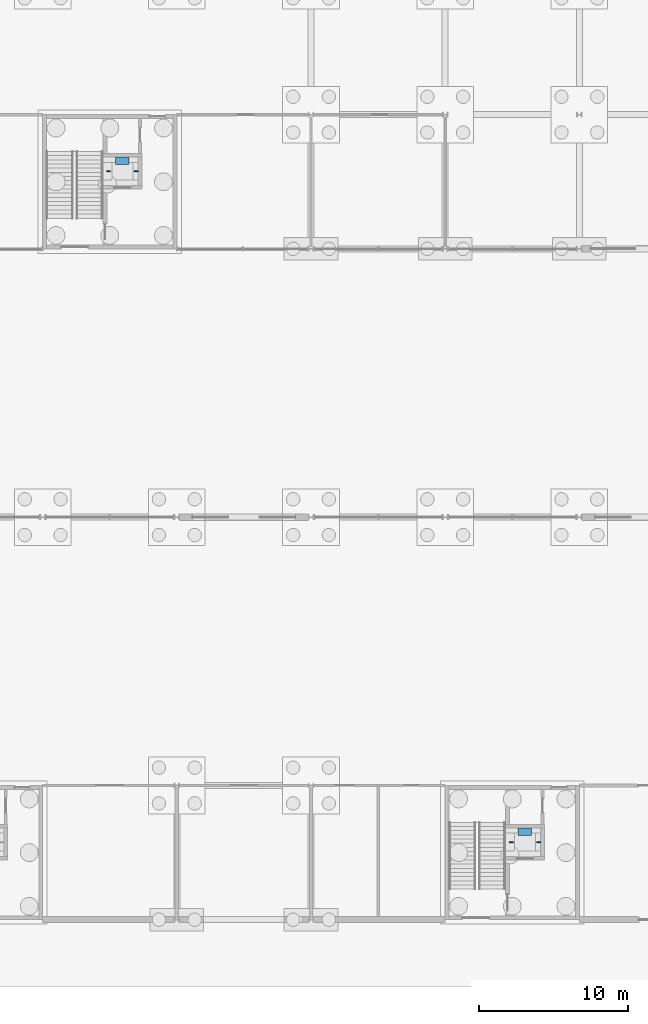
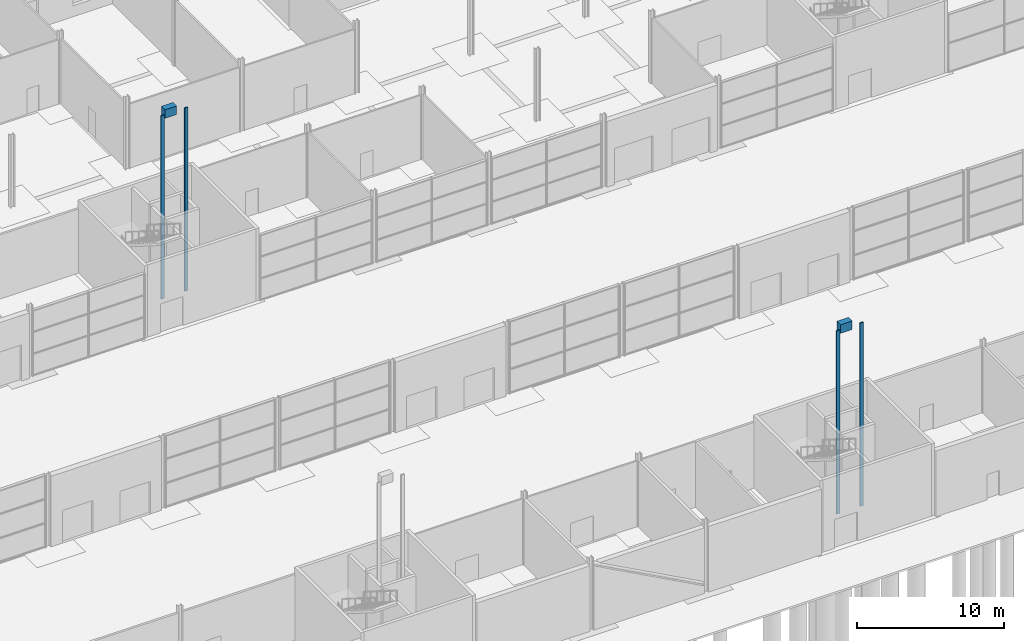
# One storey, part 86 of 97: 6 discrete accessories.
"""IFC4 building model written with IfcOpenShell, lengths in metres."""

from ifc_helpers import new_model, si_unit, direction, frame, origin, origin_2d, place, context, subcontext, project, spatial, rectangle, extrude, material, type_object, element, save


model = new_model("IFC4")

# Units and contexts
model_context = context("Model", 3, precision=1e-05, world=origin(), true_north=direction((0.0, 1.0)))
body_context = subcontext(model_context, "Body", "Model", "MODEL_VIEW")
ifc_project = project(units=[si_unit("LENGTHUNIT", "METRE"), si_unit("AREAUNIT", "SQUARE_METRE"), si_unit("VOLUMEUNIT", "CUBIC_METRE"), si_unit("PLANEANGLEUNIT", "RADIAN"), si_unit("MASSUNIT", "GRAM", prefix="KILO")], contexts=[model_context])

# Site, building, storey
site_placement = place(None, origin())
site = spatial("IfcSite", under=ifc_project, at=site_placement, CompositionType="ELEMENT")
building_placement = place(site_placement, origin())
building = spatial("IfcBuilding", under=site, at=building_placement, Name="Corbel Yard City Hall", CompositionType="ELEMENT")
storey_placement = place(building_placement, origin())
storey = spatial("IfcBuildingStorey", under=building, at=storey_placement, Name="L00", CompositionType="ELEMENT", Elevation=0.0)

# Discrete accessories
ifc_material = material(Name="Steel Grade G250", Category="steel")
discrete_accessory_type_1 = type_object("IfcDiscreteAccessoryType", Name="LM1", PredefinedType="USERDEFINED", material=ifc_material)
for number, where, z_axis, x_axis, name in (
    (1, (86.35009765625, 5.89990234375, 13.10009765625), (0.0, 0.0, 1.0), (1.0, 0.0, 0.0), "Lift LP3 drive machine"),
    (2, (59.35009765625, 50.89990234375, 13.10009765625), (0.0, 0.0, 1.0), (1.0, 0.0, 0.0), "Lift LP9 drive machine"),
):
    element("IfcDiscreteAccessory", number, at=place(storey_placement, frame(where, z_axis=z_axis, x_axis=x_axis)), inside=storey, type_object=discrete_accessory_type_1, Name=name, ObjectType="LIFT MACHINE", PredefinedType="USERDEFINED", context=body_context, shape_type="SweptSolid", body=[
        extrude(rectangle(XDim=0.89990234375, YDim=0.5, at=origin_2d()), origin(), (0.0, 0.0, 1.0), 0.699951171875),
    ])
discrete_accessory_type_2 = type_object("IfcDiscreteAccessoryType", Name="LR1", PredefinedType="USERDEFINED", material=ifc_material)
for number, where, z_axis, x_axis, name in (
    (3, (85.425048828125, 5.199951171875, -1.39990234375), (0.0, 0.0, 1.0), (1.0, 0.0, 0.0), "Lift LP3 guide rail 1"),
    (4, (87.27490234375, 5.199951171875, -1.39990234375), (0.0, 0.0, 1.0), (1.0, 0.0, 0.0), "Lift LP3 guide rail 2"),
    (5, (58.425048828125, 50.199951171875, -1.39990234375), (0.0, 0.0, 1.0), (1.0, 0.0, 0.0), "Lift LP9 guide rail 1"),
    (6, (60.27490234375, 50.199951171875, -1.39990234375), (0.0, 0.0, 1.0), (1.0, 0.0, 0.0), "Lift LP9 guide rail 2"),
):
    element("IfcDiscreteAccessory", number, at=place(storey_placement, frame(where, z_axis=z_axis, x_axis=x_axis)), inside=storey, type_object=discrete_accessory_type_2, Name=name, ObjectType="GUIDE RAIL", PredefinedType="USERDEFINED", context=body_context, shape_type="SweptSolid", body=[
        extrude(rectangle(XDim=0.25, YDim=0.090087890625, at=origin_2d()), origin(), (0.0, 0.0, 1.0), 15.199951171875),
    ])

save(model, "model.ifc")
